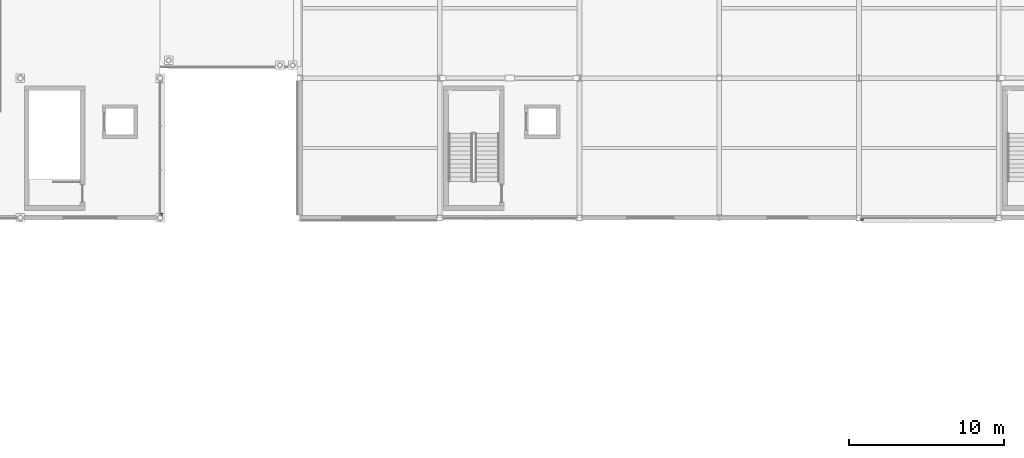
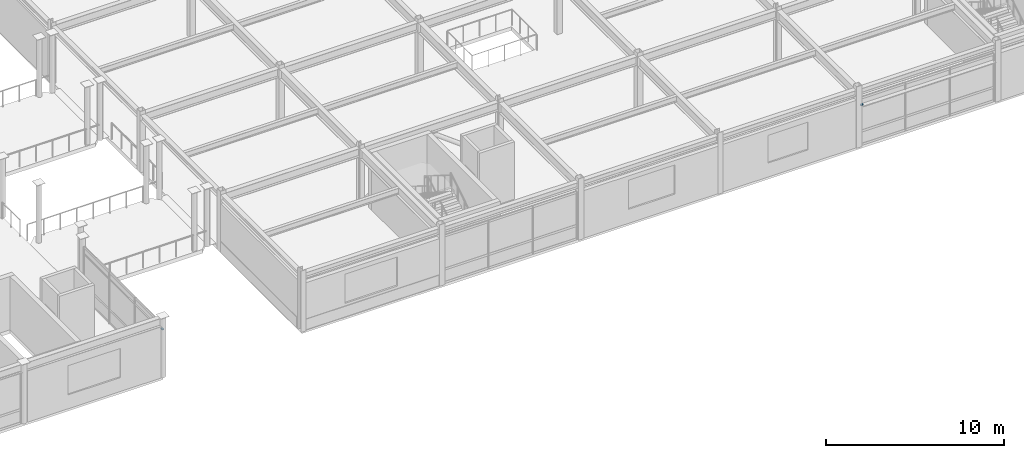
# One storey, part 43 of 53: 2 discrete accessories.
"""IFC4 building model written with IfcOpenShell, lengths in metres."""

from ifc_helpers import new_model, si_unit, direction, frame, origin, origin_2d, place, context, subcontext, project, spatial, rectangle, extrude, material, type_object, element, save


model = new_model("IFC4")

# Units and contexts
model_context = context("Model", 3, precision=1e-05, world=origin(), true_north=direction((0.0, 1.0)))
body_context = subcontext(model_context, "Body", "Model", "MODEL_VIEW")
ifc_project = project(units=[si_unit("LENGTHUNIT", "METRE"), si_unit("AREAUNIT", "SQUARE_METRE"), si_unit("VOLUMEUNIT", "CUBIC_METRE"), si_unit("PLANEANGLEUNIT", "RADIAN"), si_unit("MASSUNIT", "GRAM", prefix="KILO")], contexts=[model_context])

# Site, building, storey
site_placement = place(None, origin())
site = spatial("IfcSite", under=ifc_project, at=site_placement, CompositionType="ELEMENT")
building_placement = place(site_placement, origin())
building = spatial("IfcBuilding", under=site, at=building_placement, Name="Suzunagisa Mobility Hub", CompositionType="ELEMENT")
storey_placement = place(building_placement, frame((0.0, 0.0, 17.699951171875)))
storey = spatial("IfcBuildingStorey", under=building, at=storey_placement, Name="L04", CompositionType="ELEMENT", Elevation=17.699951171875)

# Discrete accessories
ifc_material = material(Name="Stainless Steel SUS316", Category="metal")
discrete_accessory_type = type_object("IfcDiscreteAccessoryType", Name="Stainless Sunshade Outrigger Bracket BRK-01", PredefinedType="BRACKET", material=ifc_material)
for number, where, z_axis, x_axis, name in (
    (1, (36.0849609375, 80.207763671875, 3.035888671875), (0.0, 0.0, 1.0), (0.0, 1.0, 0.0), "Sunshade Outrigger Bracket BRK-16.1"),
    (2, (81.205078125, 79.9150390625, 2.760009765625), (0.0, 0.0, 1.0), (1.0, 0.0, 0.0), "Sunshade Outrigger Bracket BRK-27.1"),
):
    element("IfcDiscreteAccessory", number, at=place(storey_placement, frame(where, z_axis=z_axis, x_axis=x_axis)), inside=storey, type_object=discrete_accessory_type, Name=name, PredefinedType="BRACKET", context=body_context, shape_type="SweptSolid", body=[
        extrude(rectangle(XDim=0.159912109375, YDim=0.1201171875, at=origin_2d()), origin(), (0.0, 0.0, 1.0), 0.080078125),
    ])

save(model, "model.ifc")
